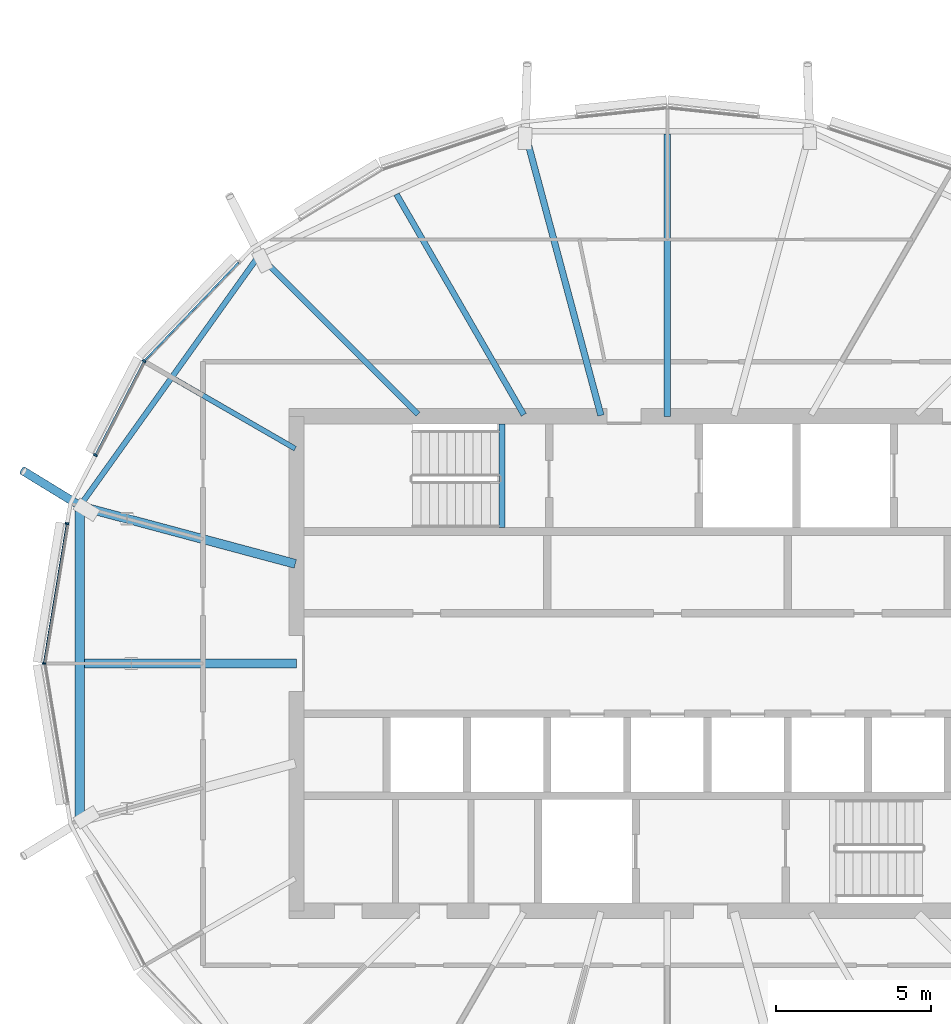
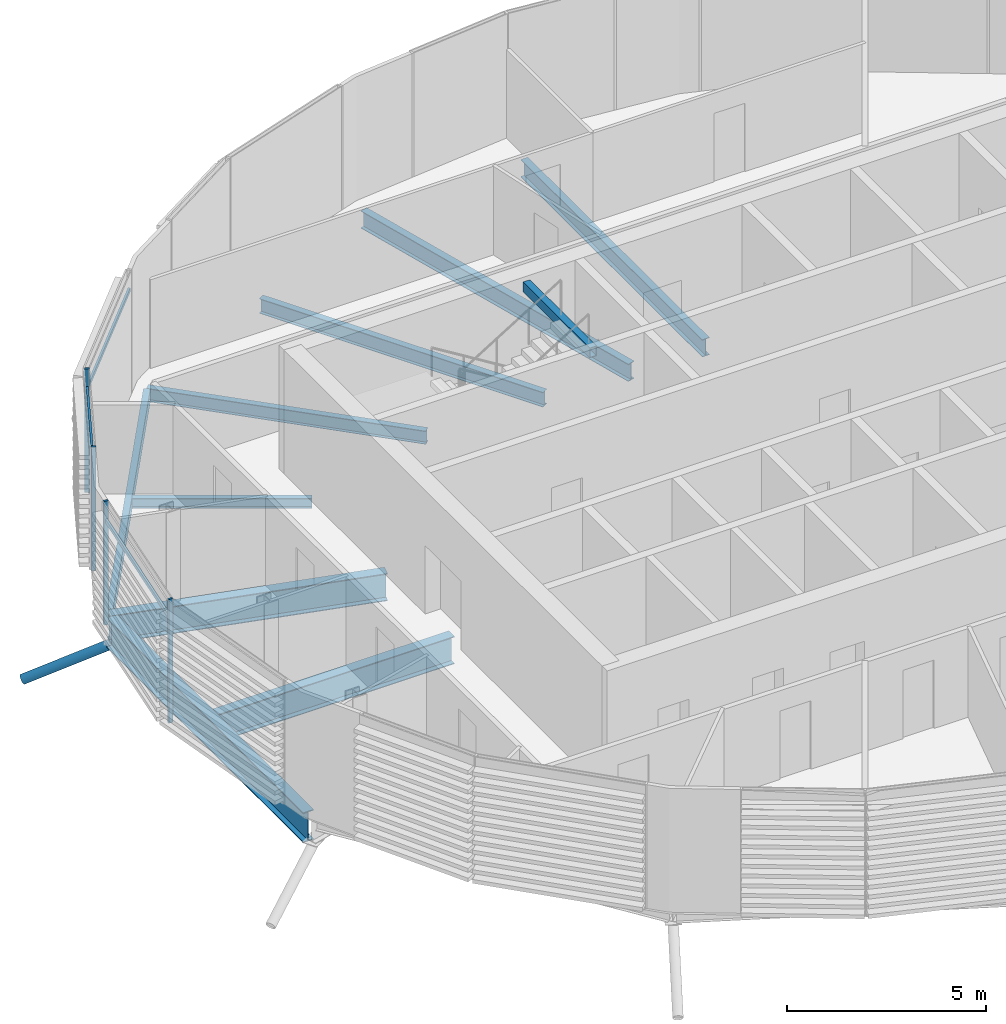
# One storey, part 5 of 36: 10 beams, 8 members, 1 element without a shape of its own.
"""IFC4 building model written with IfcOpenShell, lengths in metres."""

from ifc_helpers import new_model, si_unit, direction, frame, origin, origin_2d, place, context, subcontext, project, spatial, rectangle, hollow_rectangle, hollow_circle, i_section, extrude, clip, halfspace, material, material_profile, profile_set, type_object, element, aggregate, save


model = new_model("IFC4")

# Units and contexts
model_context = context("Model", 3, precision=1e-05, world=origin(), true_north=direction((0.0, 1.0)))
body_context = subcontext(model_context, "Body", "Model", "MODEL_VIEW")
ifc_project = project(units=[si_unit("LENGTHUNIT", "METRE"), si_unit("AREAUNIT", "SQUARE_METRE"), si_unit("VOLUMEUNIT", "CUBIC_METRE"), si_unit("PLANEANGLEUNIT", "RADIAN"), si_unit("MASSUNIT", "GRAM", prefix="KILO")], contexts=[model_context])

# Site, building, storey
site_placement = place(None, origin())
site = spatial("IfcSite", under=ifc_project, at=site_placement, CompositionType="ELEMENT")
building_placement = place(site_placement, origin())
building = spatial("IfcBuilding", under=site, at=building_placement, Name="Rimbun Link Towers", CompositionType="ELEMENT")
storey_placement = place(building_placement, frame((0.0, 0.0, 248.5)))
storey = spatial("IfcBuildingStorey", under=building, at=storey_placement, Name="L61", CompositionType="ELEMENT", Elevation=248.5)

# Curtain wall, members
ifc_material_1 = material(Name="Aluminium 6063-T6 and low-iron glass", Category="aluminium")
curtain_wall_type = type_object("IfcCurtainWallType", Name="CW1-Z4 unitised vision wall (zone 4)", PredefinedType="NOTDEFINED", material=ifc_material_1)
curtain_wall_placement = place(storey_placement, origin())
curtain_wall = element("IfcCurtainWall", 1, at=curtain_wall_placement, inside=storey, type_object=curtain_wall_type, Name="CW1 L61 T1", PredefinedType="NOTDEFINED")
ifc_material_2 = material(Name="Aluminium 6063-T6", Category="aluminium")
ifc_material_profile_1 = material_profile(ifc_material_2, rectangle(XDim=0.1201171875, YDim=0.06005859375, at=origin_2d()), Name="MULLION 60X120")
ifc_profile_set_1 = profile_set([ifc_material_profile_1], Name="Aluminium 6063-T6")
member_type_1 = type_object("IfcMemberType", Name="CW1 mullion 60X120", PredefinedType="MULLION", material=ifc_profile_set_1)
member_1_placement = place(storey_placement, frame((-48.683837890625, 9.783447265625, 0.0), z_axis=(0.0, 0.0, 1.0), x_axis=(-0.813354276071, 0.581768701115, 0.0)))
member_1 = element("IfcMember", 2, at=member_1_placement, type_object=member_type_1, Name="CW1 mullion", PredefinedType="MULLION", context=body_context, shape_type="SweptSolid", body=[
    extrude(rectangle(XDim=0.1201171875, YDim=0.06005859375, at=origin_2d()), origin(), (0.0, 0.0, 1.0), 3.800048828125),
])
member_2_placement = place(storey_placement, frame((-50.258056640625, 6.742431640625, 0.0), z_axis=(0.0, 0.0, 1.0), x_axis=(-0.888150898734, 0.459551935126, 0.0)))
member_2 = element("IfcMember", 3, at=member_2_placement, type_object=member_type_1, Name="CW1 mullion", PredefinedType="MULLION", context=body_context, shape_type="SweptSolid", body=[
    extrude(rectangle(XDim=0.1201171875, YDim=0.06005859375, at=origin_2d()), origin(), (0.0, 0.0, 1.0), 3.800048828125),
])
member_3_placement = place(storey_placement, frame((-51.917724609375, 0.0, 0.0), z_axis=(0.0, 0.0, 1.0), x_axis=(-1.0, 0.0, 0.0)))
member_3 = element("IfcMember", 4, at=member_3_placement, type_object=member_type_1, Name="CW1 mullion", PredefinedType="MULLION", context=body_context, shape_type="SweptSolid", body=[
    extrude(rectangle(XDim=0.1201171875, YDim=0.06005859375, at=origin_2d()), origin(), (0.0, 0.0, 1.0), 3.800048828125),
])
member_4_placement = place(storey_placement, frame((-51.173828125, 4.52880859375, 0.0), z_axis=(0.0, 0.0, 1.0), x_axis=(-0.986747677327, 0.162262199201, 0.0)))
member_4 = element("IfcMember", 5, at=member_4_placement, type_object=member_type_1, Name="CW1 mullion", PredefinedType="MULLION", context=body_context, shape_type="SweptSolid", body=[
    extrude(rectangle(XDim=0.1201171875, YDim=0.06005859375, at=origin_2d()), origin(), (0.0, 0.0, 1.0), 3.800048828125),
])
ifc_material_3 = material(Name="Aluminium 6063-T6", Category="aluminium")
ifc_material_profile_2 = material_profile(ifc_material_3, rectangle(XDim=0.06005859375, YDim=0.1201171875, at=origin_2d()), Name="TRANSOM 60X120")
ifc_profile_set_2 = profile_set([ifc_material_profile_2], Name="Aluminium 6063-T6")
member_type_2 = type_object("IfcMemberType", Name="CW1 transom 60X120", PredefinedType="USERDEFINED", material=ifc_profile_set_2)
member_5_placement = place(storey_placement, frame((-48.65625, 9.810302734375, 3.199951171875), z_axis=(0.692037083084, 0.721861950539, 0.0), x_axis=(-0.721861950539, 0.692037083084, 0.0)))
member_5 = element("IfcMember", 6, at=member_5_placement, type_object=member_type_2, Name="CW1 transom", ObjectType="TRANSOM", PredefinedType="USERDEFINED", context=body_context, shape_type="SweptSolid", body=[
    extrude(rectangle(XDim=0.06005859375, YDim=0.1201171875, at=origin_2d()), origin(), (0.0, 0.0, 1.0), 4.3876953125),
])
member_6_placement = place(storey_placement, frame((-50.24267578125, 6.76806640625, 3.199951171875), z_axis=(0.459567390883, 0.888142901361, 0.0), x_axis=(-0.888142901361, 0.459567390883, 0.0)))
member_6 = element("IfcMember", 7, at=member_6_placement, type_object=member_type_2, Name="CW1 transom", ObjectType="TRANSOM", PredefinedType="USERDEFINED", context=body_context, shape_type="SweptSolid", body=[
    extrude(rectangle(XDim=0.06005859375, YDim=0.1201171875, at=origin_2d()), origin(), (0.0, 0.0, 1.0), 3.35595703125),
])
member_7_placement = place(storey_placement, frame((-51.91015625, 0.0390625, 3.199951171875), z_axis=(0.16226135535, 0.986747816091, 0.0), x_axis=(-0.986747816091, 0.16226135535, 0.0)))
member_7 = element("IfcMember", 8, at=member_7_placement, type_object=member_type_2, Name="CW1 transom", ObjectType="TRANSOM", PredefinedType="USERDEFINED", context=body_context, shape_type="SweptSolid", body=[
    extrude(rectangle(XDim=0.06005859375, YDim=0.1201171875, at=origin_2d()), origin(), (0.0, 0.0, 1.0), 4.519775390625),
])
aggregate(curtain_wall, [member_1, member_2, member_3, member_4, member_5, member_6, member_7])

# Member
ifc_material_4 = material(Name="Steel S355J2H", Category="steel")
ifc_material_profile_3 = material_profile(ifc_material_4, hollow_circle(Radius=0.136474609375, WallThickness=0.012451171875, at=origin_2d()), Name="CHS 273x12.5")
ifc_profile_set_3 = profile_set([ifc_material_profile_3], Name="Steel S355J2H")
member_type_3 = type_object("IfcMemberType", Name="Floor edge link CHS 273x12.5", PredefinedType="BRACE", material=ifc_profile_set_3)
member_8_placement = place(storey_placement, frame((-50.713623046875, 5.081298828125, -1.10205078125), z_axis=(-0.760825866437, 0.465695657322, -0.451964108875), x_axis=(-0.522059191826, -0.852909256738, 0.0)))
element("IfcMember", 9, at=member_8_placement, inside=storey, type_object=member_type_3, Name="Floor edge link T1 L61 11", PredefinedType="BRACE", context=body_context, shape_type="Clipping", body=[
    clip(extrude(hollow_circle(Radius=0.136474609375, WallThickness=0.012451171875, at=origin_2d()), frame((0.0, 0.0, -0.560791015625)), (0.0, 0.0, 1.0), 3.050048828125), halfspace(frame((0.0, 0.0, -0.26416015625), z_axis=(0.0, 0.892036122749, -0.451964108875)), False)),
])

# Beams
ifc_material_5 = material(Name="Steel S355J2", Category="steel")
ifc_material_profile_4 = material_profile(ifc_material_5, hollow_rectangle(XDim=0.199951171875, YDim=0.300048828125, WallThickness=0.011962890625, at=origin_2d()), Name="BOX 300x200x12")
ifc_profile_set_4 = profile_set([ifc_material_profile_4], Name="Steel S355J2")
beam_type_1 = type_object("IfcBeamType", Name="Stair trimmer beam BOX 300x200x12", PredefinedType="BEAM", material=ifc_profile_set_4)
beam_1_placement = place(storey_placement, frame((-37.10009765625, 7.75, 3.510009765625), z_axis=(0.0, -1.0, 0.0), x_axis=(1.0, 0.0, 0.0)))
element("IfcBeam", 10, at=beam_1_placement, inside=storey, type_object=beam_type_1, Name="L61 ST1 stair beam 1", PredefinedType="BEAM", context=body_context, shape_type="SweptSolid", body=[
    extrude(hollow_rectangle(XDim=0.199951171875, YDim=0.300048828125, WallThickness=0.011962890625, at=origin_2d()), origin(), (0.0, 0.0, 1.0), 3.35009765625),
])
ifc_material_6 = material(Name="Steel S355J2", Category="steel")
ifc_material_profile_5 = material_profile(ifc_material_6, i_section(OverallWidth=0.1650390625, OverallDepth=0.303466796875, WebThickness=0.006103515625, FlangeThickness=0.01025390625, at=origin_2d()), Name="UB 305x165x40")
ifc_profile_set_5 = profile_set([ifc_material_profile_5], Name="Steel S355J2")
beam_type_2 = type_object("IfcBeamType", Name="UB 305x165x40", PredefinedType="BEAM", material=ifc_profile_set_5)
beam_2_placement = place(storey_placement, frame((-43.7919921875, 6.952392578125, -0.291748046875), z_axis=(-0.866024614991, 0.500001366228, 0.0), x_axis=(-0.500001366228, -0.866024614991, 0.0)))
element("IfcBeam", 11, at=beam_2_placement, inside=storey, type_object=beam_type_2, Name="Radial beam T1 L61 10", PredefinedType="BEAM", context=body_context, shape_type="SweptSolid", body=[
    extrude(i_section(OverallWidth=0.1650390625, OverallDepth=0.303466796875, WebThickness=0.006103515625, FlangeThickness=0.01025390625, at=origin_2d()), origin(), (0.0, 0.0, 1.0), 4.52099609375),
])
ifc_material_7 = material(Name="Steel S355J2", Category="steel")
ifc_material_profile_6 = material_profile(ifc_material_7, i_section(OverallWidth=0.177978515625, OverallDepth=0.406494140625, WebThickness=0.0078125, FlangeThickness=0.0126953125, at=origin_2d()), Name="UB 406x178x60")
ifc_profile_set_6 = profile_set([ifc_material_profile_6], Name="Steel S355J2")
beam_type_3 = type_object("IfcBeamType", Name="UB 406x178x60", PredefinedType="BEAM", material=ifc_profile_set_6)
beam_3_placement = place(storey_placement, frame((-39.813720703125, 8.063720703125, -0.34326171875), z_axis=(-0.707106781187, 0.707106781187, 0.0), x_axis=(-0.707106781187, -0.707106781187, 0.0)))
element("IfcBeam", 12, at=beam_3_placement, inside=storey, type_object=beam_type_3, Name="Radial beam T1 L61 09", PredefinedType="BEAM", context=body_context, shape_type="SweptSolid", body=[
    extrude(i_section(OverallWidth=0.177978515625, OverallDepth=0.406494140625, WebThickness=0.0078125, FlangeThickness=0.0126953125, at=origin_2d()), origin(), (0.0, 0.0, 1.0), 7.2783203125),
])
beam_4_placement = place(storey_placement, frame((-45.013427734375, 13.13623046875, -0.34326171875), z_axis=(-0.581515919417, -0.813535024117, 0.0), x_axis=(0.813535024117, -0.581515919417, 0.0)))
element("IfcBeam", 13, at=beam_4_placement, inside=storey, type_object=beam_type_3, Name="Edge beam T1 L61 09-11", PredefinedType="BEAM", context=body_context, shape_type="SweptSolid", body=[
    extrude(i_section(OverallWidth=0.177978515625, OverallDepth=0.406494140625, WebThickness=0.0078125, FlangeThickness=0.0126953125, at=origin_2d()), origin(), (0.0, 0.0, 1.0), 9.72802734375),
])
ifc_material_8 = material(Name="Steel S355J2", Category="steel")
ifc_material_profile_7 = material_profile(ifc_material_8, i_section(OverallWidth=0.18994140625, OverallDepth=0.453369140625, WebThickness=0.008544921875, FlangeThickness=0.0126953125, at=origin_2d()), Name="UB 457x191x67")
ifc_profile_set_7 = profile_set([ifc_material_profile_7], Name="Steel S355J2")
beam_type_4 = type_object("IfcBeamType", Name="UB 457x191x67", PredefinedType="BEAM", material=ifc_profile_set_7)
beam_5_placement = place(storey_placement, frame((-36.396728515625, 8.04833984375, -0.36669921875), z_axis=(-0.499996112969, 0.866027647951, 0.0), x_axis=(-0.866027647951, -0.499996112969, 0.0)))
element("IfcBeam", 14, at=beam_5_placement, inside=storey, type_object=beam_type_4, Name="Radial beam T1 L61 08", PredefinedType="BEAM", context=body_context, shape_type="SweptSolid", body=[
    extrude(i_section(OverallWidth=0.18994140625, OverallDepth=0.453369140625, WebThickness=0.008544921875, FlangeThickness=0.0126953125, at=origin_2d()), origin(), (0.0, 0.0, 1.0), 8.2373046875),
])
ifc_material_9 = material(Name="Steel S355J2", Category="steel")
ifc_material_profile_8 = material_profile(ifc_material_9, i_section(OverallWidth=0.209228515625, OverallDepth=0.533203125, WebThickness=0.010009765625, FlangeThickness=0.015625, at=origin_2d()), Name="UB 533x210x92")
ifc_profile_set_8 = profile_set([ifc_material_profile_8], Name="Steel S355J2")
beam_type_5 = type_object("IfcBeamType", Name="UB 533x210x92", PredefinedType="BEAM", material=ifc_profile_set_8)
beam_6_placement = place(storey_placement, frame((-31.75, 8.0009765625, -0.406494140625), z_axis=(0.0, 1.0, 0.0), x_axis=(-1.0, 0.0, 0.0)))
element("IfcBeam", 15, at=beam_6_placement, inside=storey, type_object=beam_type_5, Name="Radial beam T1 L61 06", PredefinedType="BEAM", context=body_context, shape_type="SweptSolid", body=[
    extrude(i_section(OverallWidth=0.209228515625, OverallDepth=0.533203125, WebThickness=0.010009765625, FlangeThickness=0.015625, at=origin_2d()), origin(), (0.0, 0.0, 1.0), 9.125244140625),
])
beam_7_placement = place(storey_placement, frame((-33.901123046875, 8.028076171875, -0.406494140625), z_axis=(-0.258819047307, 0.965925825698, 0.0), x_axis=(-0.965925825698, -0.258819047307, 0.0)))
element("IfcBeam", 16, at=beam_7_placement, inside=storey, type_object=beam_type_5, Name="Radial beam T1 L61 07", PredefinedType="BEAM", context=body_context, shape_type="SweptSolid", body=[
    extrude(i_section(OverallWidth=0.209228515625, OverallDepth=0.533203125, WebThickness=0.010009765625, FlangeThickness=0.015625, at=origin_2d()), origin(), (0.0, 0.0, 1.0), 9.51220703125),
])
ifc_material_10 = material(Name="Steel S355J2", Category="steel")
ifc_material_profile_9 = material_profile(ifc_material_10, i_section(OverallWidth=0.29248046875, OverallDepth=0.8408203125, WebThickness=0.0126953125, FlangeThickness=0.021728515625, at=origin_2d()), Name="UB 838x292x194")
ifc_profile_set_9 = profile_set([ifc_material_profile_9], Name="Steel S355J2")
beam_type_6 = type_object("IfcBeamType", Name="UB 838x292x194", PredefinedType="BEAM", material=ifc_profile_set_9)
beam_8_placement = place(storey_placement, frame((-43.788818359375, 3.225830078125, -0.560302734375), z_axis=(-0.965927219891, 0.258813844052, 0.0), x_axis=(-0.258813844052, -0.965927219891, 0.0)))
element("IfcBeam", 17, at=beam_8_placement, inside=storey, type_object=beam_type_6, Name="Radial beam T1 L61 11", PredefinedType="BEAM", context=body_context, shape_type="SweptSolid", body=[
    extrude(i_section(OverallWidth=0.29248046875, OverallDepth=0.8408203125, WebThickness=0.0126953125, FlangeThickness=0.021728515625, at=origin_2d()), origin(), (0.0, 0.0, 1.0), 7.21923828125),
])
beam_9_placement = place(storey_placement, frame((-43.7509765625, 0.0, -0.560302734375), z_axis=(-1.0, 0.0, 0.0), x_axis=(0.0, -1.0, 0.0)))
element("IfcBeam", 18, at=beam_9_placement, inside=storey, type_object=beam_type_6, Name="Radial beam T1 L61 12", PredefinedType="BEAM", context=body_context, shape_type="SweptSolid", body=[
    extrude(i_section(OverallWidth=0.29248046875, OverallDepth=0.8408203125, WebThickness=0.0126953125, FlangeThickness=0.021728515625, at=origin_2d()), origin(), (0.0, 0.0, 1.0), 6.857177734375),
])
ifc_material_11 = material(Name="Steel S355J2", Category="steel")
ifc_material_profile_10 = material_profile(ifc_material_11, i_section(OverallWidth=0.305419921875, OverallDepth=0.91845703125, WebThickness=0.017333984375, FlangeThickness=0.02783203125, at=origin_2d()), Name="UB 914x305x253")
ifc_profile_set_10 = profile_set([ifc_material_profile_10], Name="Steel S355J2")
beam_type_7 = type_object("IfcBeamType", Name="UB 914x305x253", PredefinedType="BEAM", material=ifc_profile_set_10)
beam_10_placement = place(storey_placement, frame((-50.761962890625, 4.94189453125, -0.59912109375), z_axis=(0.0, -1.0, 0.0), x_axis=(1.0, 0.0, 0.0)))
element("IfcBeam", 19, at=beam_10_placement, inside=storey, type_object=beam_type_7, Name="Edge beam T1 L61 11-13", PredefinedType="BEAM", context=body_context, shape_type="SweptSolid", body=[
    extrude(i_section(OverallWidth=0.305419921875, OverallDepth=0.91845703125, WebThickness=0.017333984375, FlangeThickness=0.02783203125, at=origin_2d()), origin(), (0.0, 0.0, 1.0), 9.8837890625),
])

save(model, "model.ifc")
